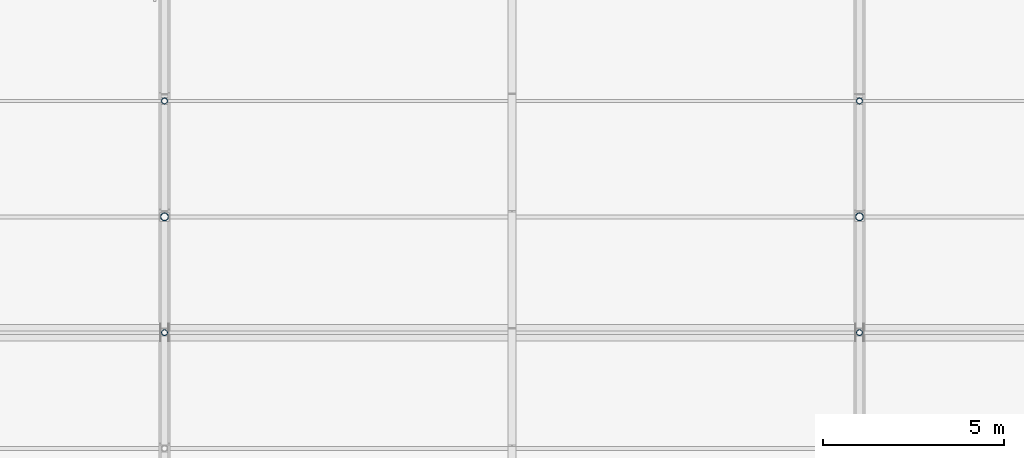
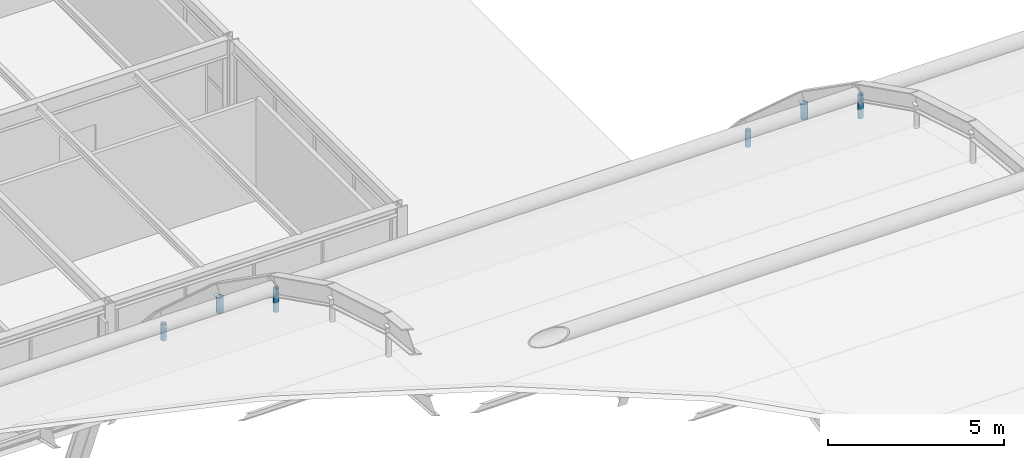
# One storey, part 102 of 126: 6 members.
"""IFC4 building model written with IfcOpenShell, lengths in metres."""

from ifc_helpers import new_model, si_unit, direction, frame, origin, origin_2d, place, context, subcontext, project, spatial, hollow_circle, extrude, material, material_profile, profile_set, type_object, element, save


model = new_model("IFC4")

# Units and contexts
model_context = context("Model", 3, precision=1e-05, world=origin(), true_north=direction((0.0, 1.0)))
body_context = subcontext(model_context, "Body", "Model", "MODEL_VIEW")
ifc_project = project(units=[si_unit("LENGTHUNIT", "METRE"), si_unit("AREAUNIT", "SQUARE_METRE"), si_unit("VOLUMEUNIT", "CUBIC_METRE"), si_unit("PLANEANGLEUNIT", "RADIAN"), si_unit("MASSUNIT", "GRAM", prefix="KILO")], contexts=[model_context])

# Site, building, storey
site_placement = place(None, origin())
site = spatial("IfcSite", under=ifc_project, at=site_placement, CompositionType="ELEMENT")
building_placement = place(site_placement, origin())
building = spatial("IfcBuilding", under=site, at=building_placement, Name="Coralgate Yard Interchange", CompositionType="ELEMENT")
storey_placement = place(building_placement, frame((0.0, 0.0, 10.5)))
storey = spatial("IfcBuildingStorey", under=building, at=storey_placement, Name="L02", CompositionType="ELEMENT", Elevation=10.5)

# Members
ifc_material = material(Name="Yellow-ochre weather-coated structural steel S355J2", Category="steel")
ifc_material_profile_1 = material_profile(ifc_material, hollow_circle(Radius=0.109619140625, WallThickness=0.010009765625, at=origin_2d()), Name="CHS 219.1x10")
ifc_profile_set_1 = profile_set([ifc_material_profile_1], Name="Yellow-ochre weather-coated structural steel S355J2")
member_type_1 = type_object("IfcMemberType", Name="MB-HG-1", PredefinedType="STRUT", material=ifc_profile_set_1)
for number, where, z_axis, x_axis, name in (
    (1, (86.39990234375, 70.39990234375, 7.44921875), (0.0, 0.0, 1.0), (1.0, 0.0, 0.0), "Arch AR-3 steel suspension hanger 10"),
    (2, (105.60009765625, 70.39990234375, 7.44921875), (0.0, 0.0, 1.0), (1.0, 0.0, 0.0), "Arch AR-4 steel suspension hanger 10"),
):
    element("IfcMember", number, at=place(storey_placement, frame(where, z_axis=z_axis, x_axis=x_axis)), inside=storey, type_object=member_type_1, Name=name, PredefinedType="STRUT", context=body_context, shape_type="SweptSolid", body=[
        extrude(hollow_circle(Radius=0.109619140625, WallThickness=0.010009765625, at=origin_2d()), origin(), (0.0, 0.0, 1.0), 0.539794921875),
    ])
ifc_material_profile_2 = material_profile(ifc_material, hollow_circle(Radius=0.084228515625, WallThickness=0.008056640625, at=origin_2d()), Name="CHS 168.3x8")
ifc_profile_set_2 = profile_set([ifc_material_profile_2], Name="Yellow-ochre weather-coated structural steel S355J2")
member_type_2 = type_object("IfcMemberType", Name="MB-HG-2", PredefinedType="STRUT", material=ifc_profile_set_2)
member_1_placement = place(storey_placement, frame((86.39990234375, 67.199951171875, 9.41259765625), z_axis=(0.0, 0.0, 1.0), x_axis=(1.0, 0.0, 0.0)))
element("IfcMember", 3, at=member_1_placement, inside=storey, type_object=member_type_2, Name="Arch AR-3 steel suspension hanger 9", PredefinedType="STRUT", context=body_context, shape_type="SweptSolid", body=[
    extrude(hollow_circle(Radius=0.084228515625, WallThickness=0.008056640625, at=origin_2d()), origin(), (0.0, 0.0, 1.0), 0.8125),
])
member_2_placement = place(storey_placement, frame((86.39990234375, 73.60009765625, 4.5361328125), z_axis=(0.0, 0.0, 1.0), x_axis=(1.0, 0.0, 0.0)))
element("IfcMember", 4, at=member_2_placement, inside=storey, type_object=member_type_2, Name="Arch AR-3 steel suspension hanger 11", PredefinedType="STRUT", context=body_context, shape_type="SweptSolid", body=[
    extrude(hollow_circle(Radius=0.084228515625, WallThickness=0.008056640625, at=origin_2d()), origin(), (0.0, 0.0, 1.0), 0.577880859375),
])
member_3_placement = place(storey_placement, frame((105.60009765625, 67.199951171875, 9.41259765625), z_axis=(0.0, 0.0, 1.0), x_axis=(1.0, 0.0, 0.0)))
element("IfcMember", 5, at=member_3_placement, inside=storey, type_object=member_type_2, Name="Arch AR-4 steel suspension hanger 9", PredefinedType="STRUT", context=body_context, shape_type="SweptSolid", body=[
    extrude(hollow_circle(Radius=0.084228515625, WallThickness=0.008056640625, at=origin_2d()), origin(), (0.0, 0.0, 1.0), 0.8125),
])
member_4_placement = place(storey_placement, frame((105.60009765625, 73.60009765625, 4.5361328125), z_axis=(0.0, 0.0, 1.0), x_axis=(1.0, 0.0, 0.0)))
element("IfcMember", 6, at=member_4_placement, inside=storey, type_object=member_type_2, Name="Arch AR-4 steel suspension hanger 11", PredefinedType="STRUT", context=body_context, shape_type="SweptSolid", body=[
    extrude(hollow_circle(Radius=0.084228515625, WallThickness=0.008056640625, at=origin_2d()), origin(), (0.0, 0.0, 1.0), 0.577880859375),
])

save(model, "model.ifc")
